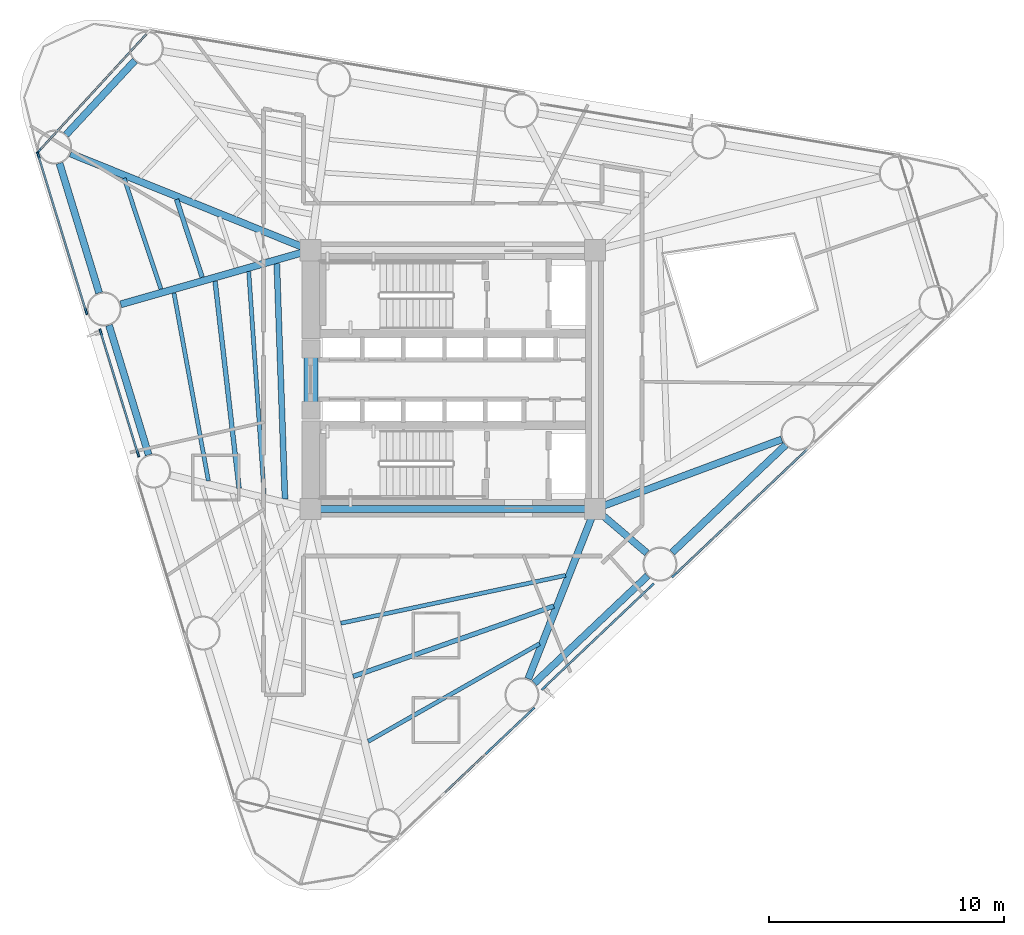
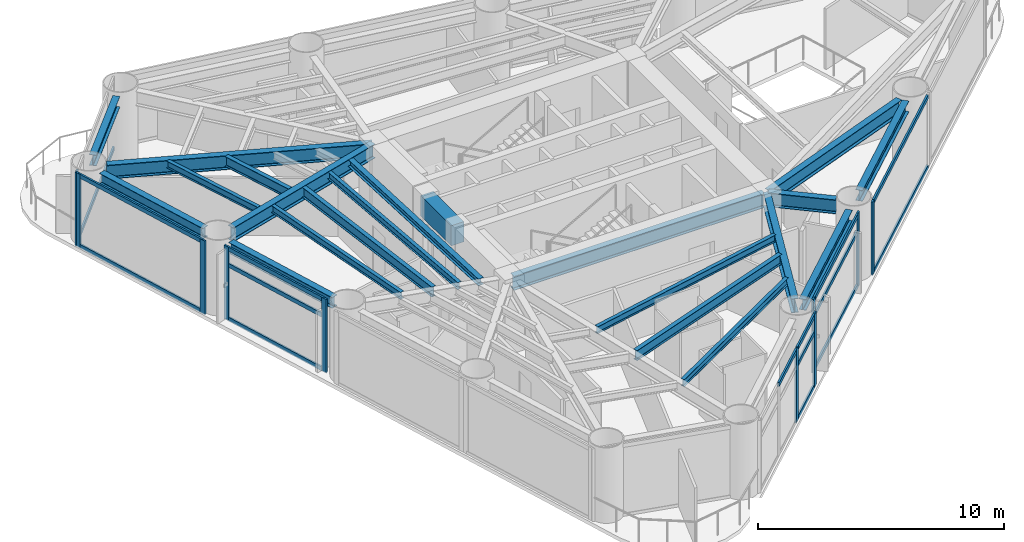
# One storey, part 2 of 10: 25 members, 21 beams, 6 elements without a shape of their own.
"""IFC4 building model written with IfcOpenShell, lengths in metres."""

from ifc_helpers import new_model, si_unit, direction, frame, origin, origin_2d, place, context, subcontext, project, spatial, rectangle, i_section, extrude, source, transform, mapped, material, layer, layer_set, material_profile, profile_set, type_object, element, aggregate, save


model = new_model("IFC4")

# Units and contexts
model_context = context("Model", 3, precision=1e-05, world=origin(), true_north=direction((0.0, 1.0)))
body_context = subcontext(model_context, "Body", "Model", "MODEL_VIEW")
ifc_project = project(units=[si_unit("LENGTHUNIT", "METRE"), si_unit("AREAUNIT", "SQUARE_METRE"), si_unit("VOLUMEUNIT", "CUBIC_METRE"), si_unit("PLANEANGLEUNIT", "RADIAN"), si_unit("MASSUNIT", "GRAM", prefix="KILO")], contexts=[model_context])

# Site, building, storey
site_placement = place(None, origin())
site = spatial("IfcSite", under=ifc_project, at=site_placement, CompositionType="ELEMENT")
building_placement = place(site_placement, origin())
building = spatial("IfcBuilding", under=site, at=building_placement, Name="Yunling Apex Tower", CompositionType="ELEMENT")
storey_placement = place(building_placement, frame((0.0, 0.0, 97.39990234375)))
storey = spatial("IfcBuildingStorey", under=building, at=storey_placement, Name="L24", CompositionType="ELEMENT", Elevation=97.39990234375)

# Beams
ifc_material_1 = material(Name="Concrete C60", Category="concrete")
ifc_material_profile_1 = material_profile(ifc_material_1, rectangle(XDim=0.60009765625, YDim=1.0, at=origin_2d()))
ifc_profile_set_1 = profile_set([ifc_material_profile_1], Name="Concrete C60")
beam_type_1 = type_object("IfcBeamType", Name="BC-CPL-1", PredefinedType="BEAM", material=ifc_profile_set_1)
shared_shape_1 = source(origin(), body_context, "Body", "SweptSolid", [
    extrude(rectangle(XDim=0.60009765625, YDim=1.0, at=origin_2d()), origin(), (0.0, 0.0, 1.0), 2.5),
])
beam_1_placement = place(storey_placement, frame((-6.02490234375, -1.25, 3.065185546875), z_axis=(0.0, 1.0, 0.0), x_axis=(-1.0, 0.0, 0.0)))
element("IfcBeam", 1, at=beam_1_placement, inside=storey, type_object=beam_type_1, Name="L24 Core West Portal Coupling Beam", PredefinedType="BEAM", context=body_context, shape_type="MappedRepresentation", body=[
    mapped(shared_shape_1, transform((0.0, 0.0, 0.0), scale=1.0)),
])
ifc_material_2 = material(Name="Steel Q355B", Category="steel")
ifc_material_profile_2 = material_profile(ifc_material_2, i_section(OverallWidth=0.300048828125, OverallDepth=0.699951171875, WebThickness=0.012939453125, FlangeThickness=0.02392578125, FilletRadius=0.02587890625, at=origin_2d()))
ifc_profile_set_2 = profile_set([ifc_material_profile_2], Name="Steel Q355B")
beam_type_2 = type_object("IfcBeamType", Name="BG-PRI-3", PredefinedType="USERDEFINED", material=ifc_profile_set_2)
shared_shape_2 = source(origin(), body_context, "Body", "SweptSolid", [
    extrude(i_section(OverallWidth=0.300048828125, OverallDepth=0.699951171875, WebThickness=0.012939453125, FlangeThickness=0.02392578125, FilletRadius=0.02587890625, at=origin_2d()), origin(), (0.0, 0.0, 1.0), 11.7998046875),
])
beam_2_placement = place(storey_placement, frame((-5.89990234375, -5.5, 3.215087890625), z_axis=(1.0, 0.0, 0.0), x_axis=(0.0, 1.0, 0.0)))
element("IfcBeam", 2, at=beam_2_placement, inside=storey, type_object=beam_type_2, Name="L24 Core Ring Tie Beam 1", ObjectType="GIRDER", PredefinedType="USERDEFINED", context=body_context, shape_type="MappedRepresentation", body=[
    mapped(shared_shape_2, transform((0.0, 0.0, 0.0), scale=1.0)),
])
ifc_material_profile_3 = material_profile(ifc_material_2, i_section(OverallWidth=0.300048828125, OverallDepth=0.5400390625, WebThickness=0.011962890625, FlangeThickness=0.02001953125, FilletRadius=0.02392578125, at=origin_2d()))
ifc_profile_set_3 = profile_set([ifc_material_profile_3], Name="Steel Q355B")
beam_type_3 = type_object("IfcBeamType", Name="BP-SPN-1", PredefinedType="SPANDREL", material=ifc_profile_set_3)
shared_shape_3 = source(origin(), body_context, "Body", "SweptSolid", [
    extrude(i_section(OverallWidth=0.300048828125, OverallDepth=0.5400390625, WebThickness=0.011962890625, FlangeThickness=0.02001953125, FilletRadius=0.02392578125, at=origin_2d()), origin(), (0.0, 0.0, 1.0), 6.6416015625),
])
for number, where, z_axis, x_axis, name in (
    (3, (3.465087890625, -12.90771484375, 3.295166015625), (0.725873473547, 0.687828249203, 0.0), (-0.687828249203, 0.725873473547, 0.0), "L24 Perimeter Spandrel Beam 2"),
    (4, (9.330078125, -7.35009765625, 3.295166015625), (0.72585608204, 0.687846602205, 0.0), (-0.687846602205, 0.72585608204, 0.0), "L24 Perimeter Spandrel Beam 3"),
):
    element("IfcBeam", number, at=place(storey_placement, frame(where, z_axis=z_axis, x_axis=x_axis)), inside=storey, type_object=beam_type_3, Name=name, PredefinedType="SPANDREL", context=body_context, shape_type="MappedRepresentation", body=[
        mapped(shared_shape_3, transform((0.0, 0.0, 0.0), scale=1.0)),
    ])
shared_shape_4 = source(origin(), body_context, "Body", "SweptSolid", [
    extrude(i_section(OverallWidth=0.300048828125, OverallDepth=0.5400390625, WebThickness=0.011962890625, FlangeThickness=0.02001953125, FilletRadius=0.02392578125, at=origin_2d()), origin(), (0.0, 0.0, 1.0), 4.296875),
])
beam_3_placement = place(storey_placement, frame((-13.513671875, 13.55810546875, 3.295166015625), z_axis=(-0.680634144105, -0.732623478929, 0.0), x_axis=(0.732623478929, -0.680634144105, 0.0)))
element("IfcBeam", 5, at=beam_3_placement, inside=storey, type_object=beam_type_3, Name="L24 Perimeter Spandrel Beam 10", PredefinedType="SPANDREL", context=body_context, shape_type="MappedRepresentation", body=[
    mapped(shared_shape_4, transform((0.0, 0.0, 0.0), scale=1.0)),
])
shared_shape_5 = source(origin(), body_context, "Body", "SweptSolid", [
    extrude(i_section(OverallWidth=0.300048828125, OverallDepth=0.5400390625, WebThickness=0.011962890625, FlangeThickness=0.02001953125, FilletRadius=0.02392578125, at=origin_2d()), origin(), (0.0, 0.0, 1.0), 5.76220703125),
])
for number, where, z_axis, x_axis, name in (
    (6, (-16.71728515625, 9.19580078125, 3.295166015625), (0.292346626925, -0.956312422656, 0.0), (0.956312422656, 0.292346626925, 0.0), "L24 Perimeter Spandrel Beam 11"),
    (7, (-14.6123046875, 2.31005859375, 3.295166015625), (0.292385374143, -0.956300576695, 0.0), (0.956300576695, 0.292385374143, 0.0), "L24 Perimeter Spandrel Beam 12"),
):
    element("IfcBeam", number, at=place(storey_placement, frame(where, z_axis=z_axis, x_axis=x_axis)), inside=storey, type_object=beam_type_3, Name=name, PredefinedType="SPANDREL", context=body_context, shape_type="MappedRepresentation", body=[
        mapped(shared_shape_5, transform((0.0, 0.0, 0.0), scale=1.0)),
    ])
shared_shape_6 = source(origin(), body_context, "Body", "SweptSolid", [
    extrude(i_section(OverallWidth=0.300048828125, OverallDepth=0.699951171875, WebThickness=0.012939453125, FlangeThickness=0.02392578125, FilletRadius=0.02587890625, at=origin_2d()), origin(), (0.0, 0.0, 1.0), 7.67822265625),
])
beam_4_placement = place(storey_placement, frame((3.21142578125, -12.72021484375, 3.215087890625), z_axis=(0.365885513893, 0.930659868439, 0.0), x_axis=(-0.930659868439, 0.365885513893, 0.0)))
element("IfcBeam", 8, at=beam_4_placement, inside=storey, type_object=beam_type_2, Name="L24 Radial Primary Girder R02", ObjectType="GIRDER", PredefinedType="USERDEFINED", context=body_context, shape_type="MappedRepresentation", body=[
    mapped(shared_shape_6, transform((0.0, 0.0, 0.0), scale=1.0)),
])
shared_shape_7 = source(origin(), body_context, "Body", "SweptSolid", [
    extrude(i_section(OverallWidth=0.300048828125, OverallDepth=0.699951171875, WebThickness=0.012939453125, FlangeThickness=0.02392578125, FilletRadius=0.02587890625, at=origin_2d()), origin(), (0.0, 0.0, 1.0), 2.80712890625),
])
beam_5_placement = place(storey_placement, frame((8.24951171875, -7.3701171875, 3.215087890625), z_axis=(-0.761816983267, 0.647792315489, 0.0), x_axis=(-0.647792315489, -0.761816983267, 0.0)))
element("IfcBeam", 9, at=beam_5_placement, inside=storey, type_object=beam_type_2, Name="L24 Radial Primary Girder R03", ObjectType="GIRDER", PredefinedType="USERDEFINED", context=body_context, shape_type="MappedRepresentation", body=[
    mapped(shared_shape_7, transform((0.0, 0.0, 0.0), scale=1.0)),
])
shared_shape_8 = source(origin(), body_context, "Body", "SweptSolid", [
    extrude(i_section(OverallWidth=0.300048828125, OverallDepth=0.699951171875, WebThickness=0.012939453125, FlangeThickness=0.02392578125, FilletRadius=0.02587890625, at=origin_2d()), origin(), (0.0, 0.0, 1.0), 8.388916015625),
])
beam_6_placement = place(storey_placement, frame((13.98583984375, -2.54296875, 3.215087890625), z_axis=(-0.937056723422, -0.349177171489, 0.0), x_axis=(0.349177171489, -0.937056723422, 0.0)))
element("IfcBeam", 10, at=beam_6_placement, inside=storey, type_object=beam_type_2, Name="L24 Radial Primary Girder R04", ObjectType="GIRDER", PredefinedType="USERDEFINED", context=body_context, shape_type="MappedRepresentation", body=[
    mapped(shared_shape_8, transform((0.0, 0.0, 0.0), scale=1.0)),
])
shared_shape_9 = source(origin(), body_context, "Body", "SweptSolid", [
    extrude(i_section(OverallWidth=0.300048828125, OverallDepth=0.699951171875, WebThickness=0.012939453125, FlangeThickness=0.02392578125, FilletRadius=0.02587890625, at=origin_2d()), origin(), (0.0, 0.0, 1.0), 10.91455078125),
])
beam_7_placement = place(storey_placement, frame((-16.247802734375, 9.609375, 3.215087890625), z_axis=(0.927520283233, -0.373772824309, 0.0), x_axis=(0.373772824309, 0.927520283233, 0.0)))
element("IfcBeam", 11, at=beam_7_placement, inside=storey, type_object=beam_type_2, Name="L24 Radial Primary Girder R11", ObjectType="GIRDER", PredefinedType="USERDEFINED", context=body_context, shape_type="MappedRepresentation", body=[
    mapped(shared_shape_9, transform((0.0, 0.0, 0.0), scale=1.0)),
])
shared_shape_10 = source(origin(), body_context, "Body", "SweptSolid", [
    extrude(i_section(OverallWidth=0.300048828125, OverallDepth=0.699951171875, WebThickness=0.012939453125, FlangeThickness=0.02392578125, FilletRadius=0.02587890625, at=origin_2d()), origin(), (0.0, 0.0, 1.0), 8.309326171875),
])
beam_8_placement = place(storey_placement, frame((-14.117431640625, 3.19873046875, 3.215087890625), z_axis=(0.961641387397, 0.274309755652, 0.0), x_axis=(-0.274309755652, 0.961641387397, 0.0)))
element("IfcBeam", 12, at=beam_8_placement, inside=storey, type_object=beam_type_2, Name="L24 Radial Primary Girder R12", ObjectType="GIRDER", PredefinedType="USERDEFINED", context=body_context, shape_type="MappedRepresentation", body=[
    mapped(shared_shape_10, transform((0.0, 0.0, 0.0), scale=1.0)),
])
ifc_material_profile_4 = material_profile(ifc_material_2, i_section(OverallWidth=0.199951171875, OverallDepth=0.5, WebThickness=0.010009765625, FlangeThickness=0.01611328125, FilletRadius=0.02001953125, at=origin_2d()))
ifc_profile_set_4 = profile_set([ifc_material_profile_4], Name="Steel Q355B")
beam_type_4 = type_object("IfcBeamType", Name="BS-SEC-2", PredefinedType="BEAM", material=ifc_profile_set_4)
shared_shape_11 = source(origin(), body_context, "Body", "SweptSolid", [
    extrude(i_section(OverallWidth=0.199951171875, OverallDepth=0.5, WebThickness=0.010009765625, FlangeThickness=0.01611328125, FilletRadius=0.02001953125, at=origin_2d()), origin(), (0.0, 0.0, 1.0), 9.03759765625),
])
beam_9_placement = place(storey_placement, frame((-4.23193359375, -12.619140625, 3.315185546875), z_axis=(0.943677540759, 0.330866588018, 0.0), x_axis=(-0.330866588018, 0.943677540759, 0.0)))
element("IfcBeam", 13, at=beam_9_placement, inside=storey, type_object=beam_type_4, Name="L24 Composite Floor Beam BS-1", PredefinedType="BEAM", context=body_context, shape_type="MappedRepresentation", body=[
    mapped(shared_shape_11, transform((0.0, 0.0, 0.0), scale=1.0)),
])
ifc_material_profile_5 = material_profile(ifc_material_2, i_section(OverallWidth=0.175048828125, OverallDepth=0.35009765625, WebThickness=0.007080078125, FlangeThickness=0.010986328125, FilletRadius=0.013916015625, at=origin_2d()))
ifc_profile_set_5 = profile_set([ifc_material_profile_5], Name="Steel Q355B")
beam_type_5 = type_object("IfcBeamType", Name="BJ-JST-1", PredefinedType="JOIST", material=ifc_profile_set_5)
shared_shape_12 = source(origin(), body_context, "Body", "SweptSolid", [
    extrude(i_section(OverallWidth=0.175048828125, OverallDepth=0.35009765625, WebThickness=0.007080078125, FlangeThickness=0.010986328125, FilletRadius=0.013916015625, at=origin_2d()), origin(), (0.0, 0.0, 1.0), 8.38671875),
])
beam_10_placement = place(storey_placement, frame((-3.59619140625, -15.3798828125, 3.39013671875), z_axis=(0.868817593772, 0.495132294192, 0.0), x_axis=(-0.495132294192, 0.868817593772, 0.0)))
element("IfcBeam", 14, at=beam_10_placement, inside=storey, type_object=beam_type_5, Name="L24 Composite Floor Joist BJ1-1", PredefinedType="JOIST", context=body_context, shape_type="MappedRepresentation", body=[
    mapped(shared_shape_12, transform((0.0, 0.0, 0.0), scale=1.0)),
])
shared_shape_13 = source(origin(), body_context, "Body", "SweptSolid", [
    extrude(i_section(OverallWidth=0.175048828125, OverallDepth=0.35009765625, WebThickness=0.007080078125, FlangeThickness=0.010986328125, FilletRadius=0.013916015625, at=origin_2d()), origin(), (0.0, 0.0, 1.0), 9.767578125),
])
beam_11_placement = place(storey_placement, frame((-4.756591796875, -10.3583984375, 3.39013671875), z_axis=(0.978052637888, 0.208357955263, 0.0), x_axis=(-0.208357955263, 0.978052637888, 0.0)))
element("IfcBeam", 15, at=beam_11_placement, inside=storey, type_object=beam_type_5, Name="L24 Composite Floor Joist BJ3-1", PredefinedType="JOIST", context=body_context, shape_type="MappedRepresentation", body=[
    mapped(shared_shape_13, transform((0.0, 0.0, 0.0), scale=1.0)),
])
shared_shape_14 = source(origin(), body_context, "Body", "SweptSolid", [
    extrude(i_section(OverallWidth=0.199951171875, OverallDepth=0.5, WebThickness=0.010009765625, FlangeThickness=0.01611328125, FilletRadius=0.02001953125, at=origin_2d()), origin(), (0.0, 0.0, 1.0), 3.484130859375),
])
beam_12_placement = place(storey_placement, frame((-11.7431640625, 7.662353515625, 3.315185546875), z_axis=(0.313220106306, -0.949680559455, 0.0), x_axis=(0.949680559455, 0.313220106306, 0.0)))
element("IfcBeam", 16, at=beam_12_placement, inside=storey, type_object=beam_type_4, Name="L24 Composite Floor Beam BS-11", PredefinedType="BEAM", context=body_context, shape_type="MappedRepresentation", body=[
    mapped(shared_shape_14, transform((0.0, 0.0, 0.0), scale=1.0)),
])
shared_shape_15 = source(origin(), body_context, "Body", "SweptSolid", [
    extrude(i_section(OverallWidth=0.175048828125, OverallDepth=0.35009765625, WebThickness=0.007080078125, FlangeThickness=0.010986328125, FilletRadius=0.013916015625, at=origin_2d()), origin(), (0.0, 0.0, 1.0), 4.959716796875),
])
beam_13_placement = place(storey_placement, frame((-13.97021484375, 8.56005859375, 3.39013671875), z_axis=(0.314588147489, -0.949228264149, 0.0), x_axis=(0.949228264149, 0.314588147489, 0.0)))
element("IfcBeam", 17, at=beam_13_placement, inside=storey, type_object=beam_type_5, Name="L24 Composite Floor Joist BJ1-11", PredefinedType="JOIST", context=body_context, shape_type="MappedRepresentation", body=[
    mapped(shared_shape_15, transform((0.0, 0.0, 0.0), scale=1.0)),
])
shared_shape_16 = source(origin(), body_context, "Body", "SweptSolid", [
    extrude(i_section(OverallWidth=0.199951171875, OverallDepth=0.5, WebThickness=0.010009765625, FlangeThickness=0.01611328125, FilletRadius=0.02001953125, at=origin_2d()), origin(), (0.0, 0.0, 1.0), 8.85009765625),
])
beam_14_placement = place(storey_placement, frame((-10.103759765625, 4.179443359375, 3.315185546875), z_axis=(0.115144483353, -0.993348754443, 0.0), x_axis=(0.993348754443, 0.115144483353, 0.0)))
element("IfcBeam", 18, at=beam_14_placement, inside=storey, type_object=beam_type_4, Name="L24 Composite Floor Beam BS-12", PredefinedType="BEAM", context=body_context, shape_type="MappedRepresentation", body=[
    mapped(shared_shape_16, transform((0.0, 0.0, 0.0), scale=1.0)),
])
shared_shape_17 = source(origin(), body_context, "Body", "SweptSolid", [
    extrude(i_section(OverallWidth=0.175048828125, OverallDepth=0.35009765625, WebThickness=0.007080078125, FlangeThickness=0.010986328125, FilletRadius=0.013916015625, at=origin_2d()), origin(), (0.0, 0.0, 1.0), 8.113525390625),
])
beam_15_placement = place(storey_placement, frame((-11.851318359375, 3.6796875, 3.39013671875), z_axis=(0.180333691295, -0.983605489912, 0.0), x_axis=(0.983605489912, 0.180333691295, 0.0)))
element("IfcBeam", 19, at=beam_15_placement, inside=storey, type_object=beam_type_5, Name="L24 Composite Floor Joist BJ1-12", PredefinedType="JOIST", context=body_context, shape_type="MappedRepresentation", body=[
    mapped(shared_shape_17, transform((0.0, 0.0, 0.0), scale=1.0)),
])
shared_shape_18 = source(origin(), body_context, "Body", "SweptSolid", [
    extrude(i_section(OverallWidth=0.175048828125, OverallDepth=0.35009765625, WebThickness=0.007080078125, FlangeThickness=0.010986328125, FilletRadius=0.013916015625, at=origin_2d()), origin(), (0.0, 0.0, 1.0), 9.478515625),
])
beam_16_placement = place(storey_placement, frame((-8.6728515625, 4.589111328125, 3.39013671875), z_axis=(0.068925846819, -0.997621785869, 0.0), x_axis=(0.997621785869, 0.068925846819, 0.0)))
element("IfcBeam", 20, at=beam_16_placement, inside=storey, type_object=beam_type_5, Name="L24 Composite Floor Joist BJ3-12", PredefinedType="JOIST", context=body_context, shape_type="MappedRepresentation", body=[
    mapped(shared_shape_18, transform((0.0, 0.0, 0.0), scale=1.0)),
])
ifc_material_profile_6 = material_profile(ifc_material_2, i_section(OverallWidth=0.25, OverallDepth=0.340087890625, WebThickness=0.009033203125, FlangeThickness=0.013916015625, FilletRadius=0.01806640625, at=origin_2d()))
ifc_profile_set_6 = profile_set([ifc_material_profile_6], Name="Steel Q355B")
beam_type_6 = type_object("IfcBeamType", Name="BJ-JST-2", PredefinedType="JOIST", material=ifc_profile_set_6)
shared_shape_19 = source(origin(), body_context, "Body", "SweptSolid", [
    extrude(i_section(OverallWidth=0.25, OverallDepth=0.340087890625, WebThickness=0.009033203125, FlangeThickness=0.013916015625, FilletRadius=0.01806640625, at=origin_2d()), origin(), (0.0, 0.0, 1.0), 10.016357421875),
])
beam_17_placement = place(storey_placement, frame((-7.479736328125, 4.9306640625, 3.39501953125), z_axis=(0.034684741857, -0.999398303322, 0.0), x_axis=(0.999398303322, 0.034684741857, 0.0)))
element("IfcBeam", 21, at=beam_17_placement, inside=storey, type_object=beam_type_6, Name="L24 Composite Floor Joist BJ2-12", PredefinedType="JOIST", context=body_context, shape_type="MappedRepresentation", body=[
    mapped(shared_shape_19, transform((0.0, 0.0, 0.0), scale=1.0)),
])

# Curtain wall, members
ifc_material_3 = material(Name="Bronze anodised aluminium", Category="aluminium")
ifc_layer = layer(ifc_material_3, 0.260009765625)
ifc_layer_set = layer_set([ifc_layer], Name="Bronze anodised aluminium")
curtain_wall_type = type_object("IfcCurtainWallType", Name="CW-SYS-2", PredefinedType="NOTDEFINED", material=ifc_layer_set)
curtain_wall_1_placement = place(storey_placement, origin())
curtain_wall_1 = element("IfcCurtainWall", 22, at=curtain_wall_1_placement, inside=storey, type_object=curtain_wall_type, Name="CW-L24-F1-B1", PredefinedType="NOTDEFINED")
ifc_material_profile_7 = material_profile(ifc_material_3, rectangle(XDim=0.0849609375, YDim=0.260009765625, at=origin_2d()))
ifc_profile_set_7 = profile_set([ifc_material_profile_7], Name="Bronze anodised aluminium")
member_type_1 = type_object("IfcMemberType", Name="CW-MUL-2", PredefinedType="MULLION", material=ifc_profile_set_7)
shared_shape_20 = source(origin(), body_context, "Body", "SweptSolid", [
    extrude(rectangle(XDim=0.0849609375, YDim=0.260009765625, at=origin_2d()), origin(), (0.0, 0.0, 1.0), 3.664794921875),
])
member_1_placement = place(storey_placement, frame((1.491943359375, -15.824951171875, -0.0498046875), z_axis=(0.0, 0.0, 1.0), x_axis=(-0.687861264918, 0.72584218686, 0.0)))
member_1 = element("IfcMember", 23, at=member_1_placement, type_object=member_type_1, Name="CW-SYS-2 mullion 3", PredefinedType="MULLION", context=body_context, shape_type="MappedRepresentation", body=[
    mapped(shared_shape_20, transform((0.0, 0.0, 0.0), scale=1.0)),
])
member_2_placement = place(storey_placement, frame((3.377197265625, -14.038330078125, -0.0498046875), z_axis=(0.0, 0.0, 1.0), x_axis=(-0.687861264918, 0.72584218686, 0.0)))
member_2 = element("IfcMember", 24, at=member_2_placement, type_object=member_type_1, Name="CW-SYS-2 mullion 4", PredefinedType="MULLION", context=body_context, shape_type="MappedRepresentation", body=[
    mapped(shared_shape_20, transform((0.0, 0.0, 0.0), scale=1.0)),
])

curtain_wall_2_placement = place(storey_placement, origin())
curtain_wall_2 = element("IfcCurtainWall", 25, at=curtain_wall_2_placement, inside=storey, type_object=curtain_wall_type, Name="CW-L24-F1-B2", PredefinedType="NOTDEFINED")
member_3_placement = place(storey_placement, frame((3.87646484375, -13.096923828125, -0.0498046875), z_axis=(0.0, 0.0, 1.0), x_axis=(-0.687844480924, 0.725858092234, 0.0)))
member_3 = element("IfcMember", 26, at=member_3_placement, type_object=member_type_1, Name="CW-SYS-2 mullion 1", PredefinedType="MULLION", context=body_context, shape_type="MappedRepresentation", body=[
    mapped(shared_shape_20, transform((0.0, 0.0, 0.0), scale=1.0)),
])
member_4_placement = place(storey_placement, frame((8.452880859375, -8.76025390625, -0.0498046875), z_axis=(0.0, 0.0, 1.0), x_axis=(-0.687844480924, 0.725858092234, 0.0)))
member_4 = element("IfcMember", 27, at=member_4_placement, type_object=member_type_1, Name="CW-SYS-2 mullion 2", PredefinedType="MULLION", context=body_context, shape_type="MappedRepresentation", body=[
    mapped(shared_shape_20, transform((0.0, 0.0, 0.0), scale=1.0)),
])

# Curtain wall, member
curtain_wall_3_placement = place(storey_placement, origin())
curtain_wall_3 = element("IfcCurtainWall", 28, at=curtain_wall_3_placement, inside=storey, type_object=curtain_wall_type, Name="CW-L24-F1-B3", PredefinedType="NOTDEFINED")
member_5_placement = place(storey_placement, frame((9.419921875, -8.312255859375, -0.0498046875), z_axis=(0.0, 0.0, 1.0), x_axis=(-0.687861264918, 0.72584218686, 0.0)))
member_5 = element("IfcMember", 29, at=member_5_placement, type_object=member_type_1, Name="CW-SYS-2 mullion 1", PredefinedType="MULLION", context=body_context, shape_type="MappedRepresentation", body=[
    mapped(shared_shape_20, transform((0.0, 0.0, 0.0), scale=1.0)),
])

curtain_wall_4_placement = place(storey_placement, origin())
curtain_wall_4 = element("IfcCurtainWall", 30, at=curtain_wall_4_placement, inside=storey, type_object=curtain_wall_type, Name="CW-L24-CRN2", PredefinedType="NOTDEFINED")
member_6_placement = place(storey_placement, frame((-17.6064453125, 9.6982421875, -0.0498046875), z_axis=(0.0, 0.0, 1.0), x_axis=(0.736184624933, -0.676780760669, 0.0)))
member_6 = element("IfcMember", 31, at=member_6_placement, type_object=member_type_1, Name="CW-SYS-2 mullion 2", PredefinedType="MULLION", context=body_context, shape_type="MappedRepresentation", body=[
    mapped(shared_shape_20, transform((0.0, 0.0, 0.0), scale=1.0)),
])

# Curtain wall, members
curtain_wall_5_placement = place(storey_placement, origin())
curtain_wall_5 = element("IfcCurtainWall", 32, at=curtain_wall_5_placement, inside=storey, type_object=curtain_wall_type, Name="CW-L24-F3-B1", PredefinedType="NOTDEFINED")
member_7_placement = place(storey_placement, frame((-17.61865234375, 9.5439453125, -0.0498046875), z_axis=(0.0, 0.0, 1.0), x_axis=(0.956304476342, 0.292372619321, 0.0)))
member_7 = element("IfcMember", 33, at=member_7_placement, type_object=member_type_1, Name="CW-SYS-2 mullion 1", PredefinedType="MULLION", context=body_context, shape_type="MappedRepresentation", body=[
    mapped(shared_shape_20, transform((0.0, 0.0, 0.0), scale=1.0)),
])
member_8_placement = place(storey_placement, frame((-15.5849609375, 2.892578125, -0.0498046875), z_axis=(0.0, 0.0, 1.0), x_axis=(0.956304476342, 0.292372619321, 0.0)))
member_8 = element("IfcMember", 34, at=member_8_placement, type_object=member_type_1, Name="CW-SYS-2 mullion 2", PredefinedType="MULLION", context=body_context, shape_type="MappedRepresentation", body=[
    mapped(shared_shape_20, transform((0.0, 0.0, 0.0), scale=1.0)),
])

curtain_wall_6_placement = place(storey_placement, origin())
curtain_wall_6 = element("IfcCurtainWall", 35, at=curtain_wall_6_placement, inside=storey, type_object=curtain_wall_type, Name="CW-L24-F3-B2", PredefinedType="NOTDEFINED")
member_9_placement = place(storey_placement, frame((-14.964599609375, 2.026123046875, -0.0498046875), z_axis=(0.0, 0.0, 1.0), x_axis=(0.956307182672, 0.292363767199, 0.0)))
member_9 = element("IfcMember", 36, at=member_9_placement, type_object=member_type_1, Name="CW-SYS-2 mullion 1", PredefinedType="MULLION", context=body_context, shape_type="MappedRepresentation", body=[
    mapped(shared_shape_20, transform((0.0, 0.0, 0.0), scale=1.0)),
])
member_10_placement = place(storey_placement, frame((-13.37841796875, -3.162109375, -0.0498046875), z_axis=(0.0, 0.0, 1.0), x_axis=(0.956307182672, 0.292363767199, 0.0)))
member_10 = element("IfcMember", 37, at=member_10_placement, type_object=member_type_1, Name="CW-SYS-2 mullion 2", PredefinedType="MULLION", context=body_context, shape_type="MappedRepresentation", body=[
    mapped(shared_shape_20, transform((0.0, 0.0, 0.0), scale=1.0)),
])

# Member
ifc_material_profile_8 = material_profile(ifc_material_3, rectangle(XDim=0.0849609375, YDim=0.199951171875, at=origin_2d()))
ifc_profile_set_8 = profile_set([ifc_material_profile_8], Name="Bronze anodised aluminium")
member_type_2 = type_object("IfcMemberType", Name="CW-TRN-2", PredefinedType="USERDEFINED", material=ifc_profile_set_8)
shared_shape_21 = source(origin(), body_context, "Body", "SweptSolid", [
    extrude(rectangle(XDim=0.0849609375, YDim=0.199951171875, at=origin_2d()), origin(), (0.0, 0.0, 1.0), 2.563232421875),
])
member_11_placement = place(storey_placement, frame((-0.396484375, -17.614501953125, 3.522705078125), z_axis=(0.725852566003, 0.687850312515, 0.0), x_axis=(-0.687850312515, 0.725852566003, 0.0)))
member_11 = element("IfcMember", 38, at=member_11_placement, type_object=member_type_2, Name="CW-SYS-2 transom 2.3", ObjectType="TRANSOM", PredefinedType="USERDEFINED", context=body_context, shape_type="MappedRepresentation", body=[
    mapped(shared_shape_21, transform((0.0, 0.0, 0.0), scale=1.0)),
])

shared_shape_22 = source(origin(), body_context, "Body", "SweptSolid", [
    extrude(rectangle(XDim=0.0849609375, YDim=0.199951171875, at=origin_2d()), origin(), (0.0, 0.0, 1.0), 2.520751953125),
])
member_12_placement = place(storey_placement, frame((1.51953125, -15.798583984375, 0.04248046875), z_axis=(0.725881421947, 0.687819861063, 0.0), x_axis=(-0.687819861063, 0.725881421947, 0.0)))
member_12 = element("IfcMember", 39, at=member_12_placement, type_object=member_type_2, Name="CW-SYS-2 transom 3.1", ObjectType="TRANSOM", PredefinedType="USERDEFINED", context=body_context, shape_type="MappedRepresentation", body=[
    mapped(shared_shape_22, transform((0.0, 0.0, 0.0), scale=1.0)),
])

member_13_placement = place(storey_placement, frame((1.51953125, -15.798583984375, 2.715087890625), z_axis=(0.725881421947, 0.687819861063, 0.0), x_axis=(-0.687819861063, 0.725881421947, 0.0)))
member_13 = element("IfcMember", 40, at=member_13_placement, type_object=member_type_2, Name="CW-SYS-2 transom 3.2", ObjectType="TRANSOM", PredefinedType="USERDEFINED", context=body_context, shape_type="MappedRepresentation", body=[
    mapped(shared_shape_22, transform((0.0, 0.0, 0.0), scale=1.0)),
])

member_14_placement = place(storey_placement, frame((1.51953125, -15.798583984375, 3.522705078125), z_axis=(0.725881421947, 0.687819861063, 0.0), x_axis=(-0.687819861063, 0.725881421947, 0.0)))
member_14 = element("IfcMember", 41, at=member_14_placement, type_object=member_type_2, Name="CW-SYS-2 transom 3.3", ObjectType="TRANSOM", PredefinedType="USERDEFINED", context=body_context, shape_type="MappedRepresentation", body=[
    mapped(shared_shape_22, transform((0.0, 0.0, 0.0), scale=1.0)),
])

aggregate(curtain_wall_1, [member_1, member_2, member_11, member_12, member_13, member_14])

shared_shape_23 = source(origin(), body_context, "Body", "SweptSolid", [
    extrude(rectangle(XDim=0.0849609375, YDim=0.199951171875, at=origin_2d()), origin(), (0.0, 0.0, 1.0), 6.228271484375),
])
member_15_placement = place(storey_placement, frame((3.904296875, -13.070556640625, 0.04248046875), z_axis=(0.725843490466, 0.687859889329, 0.0), x_axis=(-0.687859889329, 0.725843490466, 0.0)))
member_15 = element("IfcMember", 42, at=member_15_placement, type_object=member_type_2, Name="CW-SYS-2 transom 1.1", ObjectType="TRANSOM", PredefinedType="USERDEFINED", context=body_context, shape_type="MappedRepresentation", body=[
    mapped(shared_shape_23, transform((0.0, 0.0, 0.0), scale=1.0)),
])

member_16_placement = place(storey_placement, frame((3.904296875, -13.070556640625, 2.715087890625), z_axis=(0.725843490466, 0.687859889329, 0.0), x_axis=(-0.687859889329, 0.725843490466, 0.0)))
member_16 = element("IfcMember", 43, at=member_16_placement, type_object=member_type_2, Name="CW-SYS-2 transom 1.2", ObjectType="TRANSOM", PredefinedType="USERDEFINED", context=body_context, shape_type="MappedRepresentation", body=[
    mapped(shared_shape_23, transform((0.0, 0.0, 0.0), scale=1.0)),
])

member_17_placement = place(storey_placement, frame((3.904296875, -13.070556640625, 3.522705078125), z_axis=(0.725843490466, 0.687859889329, 0.0), x_axis=(-0.687859889329, 0.725843490466, 0.0)))
member_17 = element("IfcMember", 44, at=member_17_placement, type_object=member_type_2, Name="CW-SYS-2 transom 1.3", ObjectType="TRANSOM", PredefinedType="USERDEFINED", context=body_context, shape_type="MappedRepresentation", body=[
    mapped(shared_shape_23, transform((0.0, 0.0, 0.0), scale=1.0)),
])

aggregate(curtain_wall_2, [member_3, member_4, member_15, member_16, member_17])

shared_shape_24 = source(origin(), body_context, "Body", "SweptSolid", [
    extrude(rectangle(XDim=0.0849609375, YDim=0.199951171875, at=origin_2d()), origin(), (0.0, 0.0, 1.0), 7.75830078125),
])
member_18_placement = place(storey_placement, frame((9.447509765625, -8.285888671875, 0.04248046875), z_axis=(0.725858408627, 0.687844147046, 0.0), x_axis=(-0.687844147046, 0.725858408627, 0.0)))
member_18 = element("IfcMember", 45, at=member_18_placement, type_object=member_type_2, Name="CW-SYS-2 transom 1.1", ObjectType="TRANSOM", PredefinedType="USERDEFINED", context=body_context, shape_type="MappedRepresentation", body=[
    mapped(shared_shape_24, transform((0.0, 0.0, 0.0), scale=1.0)),
])

member_19_placement = place(storey_placement, frame((9.447509765625, -8.285888671875, 3.522705078125), z_axis=(0.725858408627, 0.687844147046, 0.0), x_axis=(-0.687844147046, 0.725858408627, 0.0)))
member_19 = element("IfcMember", 46, at=member_19_placement, type_object=member_type_2, Name="CW-SYS-2 transom 1.2", ObjectType="TRANSOM", PredefinedType="USERDEFINED", context=body_context, shape_type="MappedRepresentation", body=[
    mapped(shared_shape_24, transform((0.0, 0.0, 0.0), scale=1.0)),
])

aggregate(curtain_wall_3, [member_5, member_18, member_19])

shared_shape_25 = source(origin(), body_context, "Body", "SweptSolid", [
    extrude(rectangle(XDim=0.0849609375, YDim=0.199951171875, at=origin_2d()), origin(), (0.0, 0.0, 1.0), 6.831298828125),
])
member_20_placement = place(storey_placement, frame((-12.957275390625, 14.755615234375, 0.04248046875), z_axis=(-0.676783953504, -0.73618168972, 0.0), x_axis=(0.73618168972, -0.676783953504, 0.0)))
member_20 = element("IfcMember", 47, at=member_20_placement, type_object=member_type_2, Name="CW-SYS-2 transom 1.1", ObjectType="TRANSOM", PredefinedType="USERDEFINED", context=body_context, shape_type="MappedRepresentation", body=[
    mapped(shared_shape_25, transform((0.0, 0.0, 0.0), scale=1.0)),
])

aggregate(curtain_wall_4, [member_6, member_20])

shared_shape_26 = source(origin(), body_context, "Body", "SweptSolid", [
    extrude(rectangle(XDim=0.0849609375, YDim=0.199951171875, at=origin_2d()), origin(), (0.0, 0.0, 1.0), 6.878662109375),
])
member_21_placement = place(storey_placement, frame((-17.607421875, 9.50732421875, 0.04248046875), z_axis=(0.29238444517, -0.956300860725, 0.0), x_axis=(0.956300860725, 0.29238444517, 0.0)))
member_21 = element("IfcMember", 48, at=member_21_placement, type_object=member_type_2, Name="CW-SYS-2 transom 1.1", ObjectType="TRANSOM", PredefinedType="USERDEFINED", context=body_context, shape_type="MappedRepresentation", body=[
    mapped(shared_shape_26, transform((0.0, 0.0, 0.0), scale=1.0)),
])

member_22_placement = place(storey_placement, frame((-17.607421875, 9.50732421875, 3.522705078125), z_axis=(0.29238444517, -0.956300860725, 0.0), x_axis=(0.956300860725, 0.29238444517, 0.0)))
member_22 = element("IfcMember", 49, at=member_22_placement, type_object=member_type_2, Name="CW-SYS-2 transom 1.2", ObjectType="TRANSOM", PredefinedType="USERDEFINED", context=body_context, shape_type="MappedRepresentation", body=[
    mapped(shared_shape_26, transform((0.0, 0.0, 0.0), scale=1.0)),
])

aggregate(curtain_wall_5, [member_7, member_8, member_21, member_22])

shared_shape_27 = source(origin(), body_context, "Body", "SweptSolid", [
    extrude(rectangle(XDim=0.0849609375, YDim=0.199951171875, at=origin_2d()), origin(), (0.0, 0.0, 1.0), 5.3486328125),
])
member_23_placement = place(storey_placement, frame((-14.953369140625, 1.989501953125, 0.04248046875), z_axis=(0.292356530711, -0.956309394992, 0.0), x_axis=(0.956309394992, 0.292356530711, 0.0)))
member_23 = element("IfcMember", 50, at=member_23_placement, type_object=member_type_2, Name="CW-SYS-2 transom 1.1", ObjectType="TRANSOM", PredefinedType="USERDEFINED", context=body_context, shape_type="MappedRepresentation", body=[
    mapped(shared_shape_27, transform((0.0, 0.0, 0.0), scale=1.0)),
])

member_24_placement = place(storey_placement, frame((-14.953369140625, 1.989501953125, 2.715087890625), z_axis=(0.292356530711, -0.956309394992, 0.0), x_axis=(0.956309394992, 0.292356530711, 0.0)))
member_24 = element("IfcMember", 51, at=member_24_placement, type_object=member_type_2, Name="CW-SYS-2 transom 1.2", ObjectType="TRANSOM", PredefinedType="USERDEFINED", context=body_context, shape_type="MappedRepresentation", body=[
    mapped(shared_shape_27, transform((0.0, 0.0, 0.0), scale=1.0)),
])

member_25_placement = place(storey_placement, frame((-14.953369140625, 1.989501953125, 3.522705078125), z_axis=(0.292356530711, -0.956309394992, 0.0), x_axis=(0.956309394992, 0.292356530711, 0.0)))
member_25 = element("IfcMember", 52, at=member_25_placement, type_object=member_type_2, Name="CW-SYS-2 transom 1.3", ObjectType="TRANSOM", PredefinedType="USERDEFINED", context=body_context, shape_type="MappedRepresentation", body=[
    mapped(shared_shape_27, transform((0.0, 0.0, 0.0), scale=1.0)),
])

aggregate(curtain_wall_6, [member_9, member_10, member_23, member_24, member_25])

save(model, "model.ifc")
